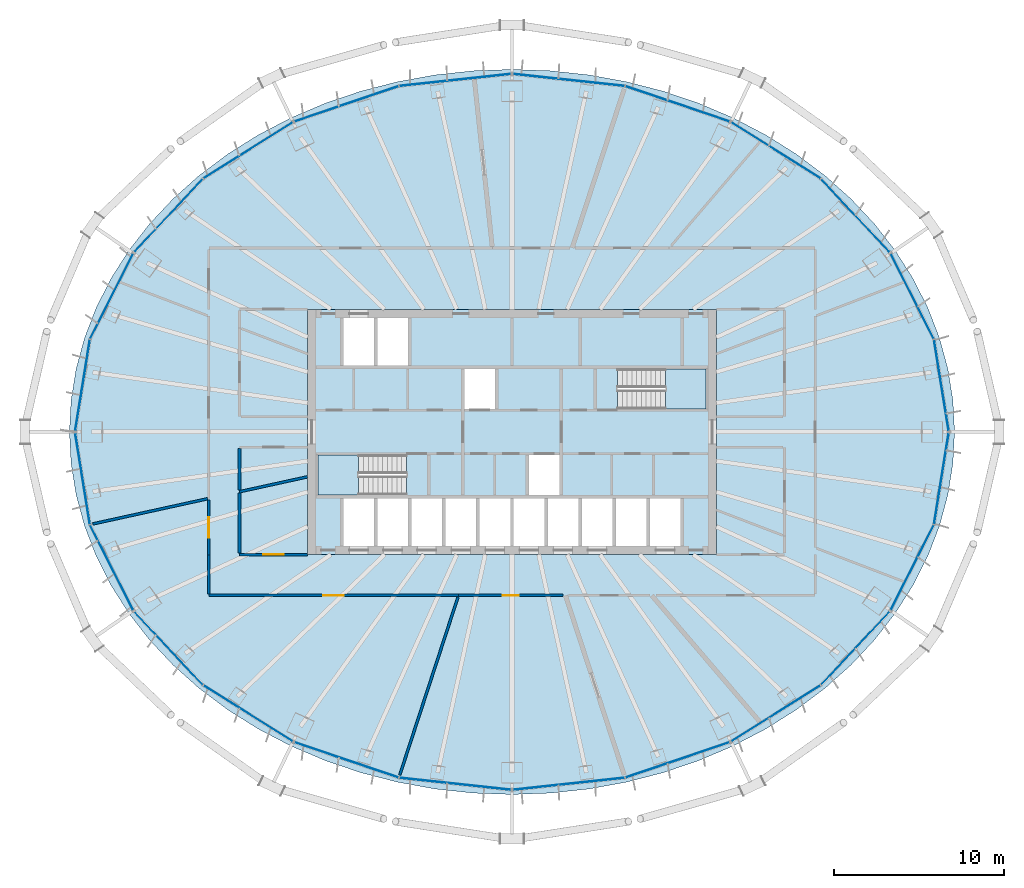
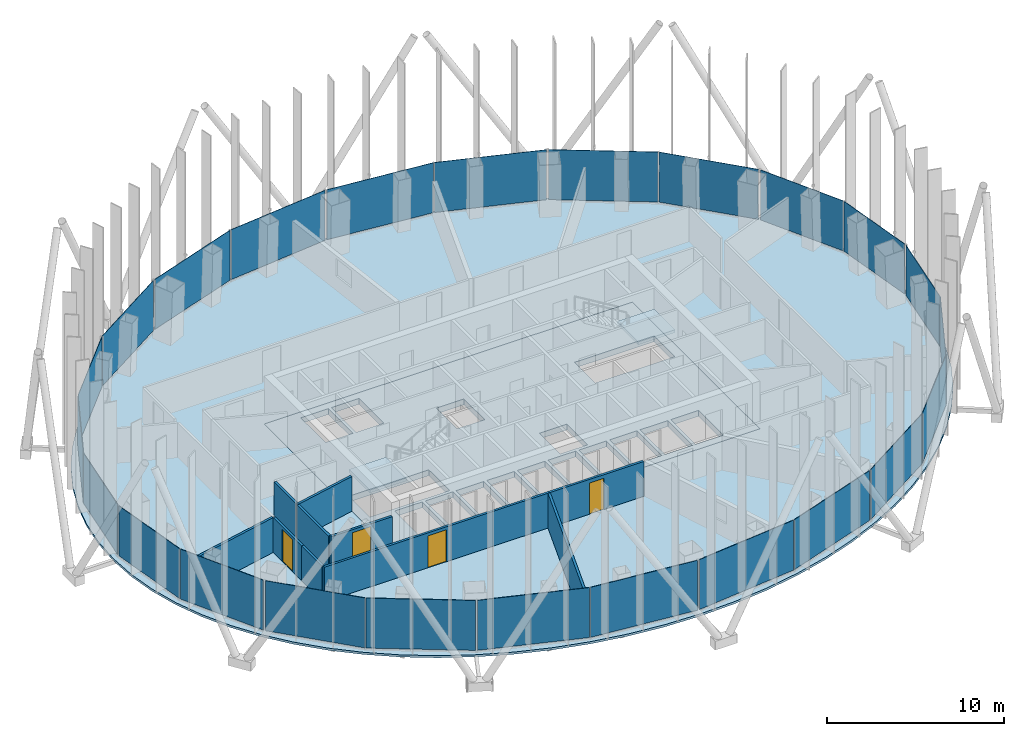
# One storey, part 8 of 20: 24 plates, 10 walls, 4 doors, 4 slabs, 4 openings, 14 elements without a shape of their own.
"""IFC4 building model written with IfcOpenShell, lengths in metres."""

from ifc_helpers import new_model, si_unit, direction, frame, frame_2d, origin, origin_2d, place, context, subcontext, project, spatial, polyline, rectangle, outline, extrude, material, layer, layer_set, type_object, element, fill, aggregate, save


model = new_model("IFC4")

# Units and contexts
model_context = context("Model", 3, precision=1e-05, world=origin(), true_north=direction((0.0, 1.0)))
body_context = subcontext(model_context, "Body", "Model", "MODEL_VIEW")
ifc_project = project(units=[si_unit("LENGTHUNIT", "METRE"), si_unit("AREAUNIT", "SQUARE_METRE"), si_unit("VOLUMEUNIT", "CUBIC_METRE"), si_unit("PLANEANGLEUNIT", "RADIAN"), si_unit("MASSUNIT", "GRAM", prefix="KILO")], contexts=[model_context])

# Site, building, storey
site_placement = place(None, origin())
site = spatial("IfcSite", under=ifc_project, at=site_placement, CompositionType="ELEMENT")
building_placement = place(site_placement, origin())
building = spatial("IfcBuilding", under=site, at=building_placement, Name="Siaravel Broadcast Tower", CompositionType="ELEMENT")
storey_placement = place(building_placement, frame((0.0, 0.0, 108.199951171875)))
storey = spatial("IfcBuildingStorey", under=building, at=storey_placement, Name="L25", CompositionType="ELEMENT", Elevation=108.199951171875)

# Curtain wall, plates
ifc_material_1 = material(Name="Aluminium 6063-T6", Category="aluminium")
ifc_layer_1 = layer(ifc_material_1, 0.199951171875)
ifc_layer_set_1 = layer_set([ifc_layer_1], Name="Aluminium 6063-T6")
curtain_wall_type = type_object("IfcCurtainWallType", Name="Unitised curtain wall, zone 2", PredefinedType="NOTDEFINED", material=ifc_layer_set_1)
curtain_wall_1_placement = place(storey_placement, origin())
curtain_wall_1 = element("IfcCurtainWall", 1, at=curtain_wall_1_placement, inside=storey, type_object=curtain_wall_type, Name="L25 Unitised curtain wall, zone 2 01", PredefinedType="NOTDEFINED")
ifc_material_2 = material(Name="Tinted laminated glass", Category="glass")
ifc_layer_2 = layer(ifc_material_2, 0.030029296875)
ifc_layer_set_2 = layer_set([ifc_layer_2], Name="Tinted laminated glass")
plate_type = type_object("IfcPlateType", Name="CW-Z2 glass panel", PredefinedType="CURTAIN_PANEL", material=ifc_layer_set_2)
plate_1_placement = place(storey_placement, frame((25.215087890625, 2.738037109375, 0.110107421875), z_axis=(0.0, 0.0, 1.0), x_axis=(-0.158685687, 0.987329151, 0.0)))
plate_1 = element("IfcPlate", 2, at=plate_1_placement, type_object=plate_type, Name="CW-Z2 glass panel", PredefinedType="CURTAIN_PANEL", context=body_context, shape_type="SweptSolid", body=[
    extrude(rectangle(XDim=5.416259765625, YDim=0.030029296875, at=origin_2d()), origin(), (0.0, 0.0, 1.0), 3.43994140625),
])
plate_2_placement = place(storey_placement, frame((23.50537109375, 7.96533203125, 0.110107421875), z_axis=(0.0, 0.0, 1.0), x_axis=(-0.451261231, 0.892391899, 0.0)))
plate_2 = element("IfcPlate", 3, at=plate_2_placement, type_object=plate_type, Name="CW-Z2 glass panel", PredefinedType="CURTAIN_PANEL", context=body_context, shape_type="SweptSolid", body=[
    extrude(rectangle(XDim=5.585693359375, YDim=0.030029296875, at=origin_2d()), origin(), (0.0, 0.0, 1.0), 3.43994140625),
])
aggregate(curtain_wall_1, [plate_1, plate_2])

curtain_wall_2_placement = place(storey_placement, origin())
curtain_wall_2 = element("IfcCurtainWall", 4, at=curtain_wall_2_placement, inside=storey, type_object=curtain_wall_type, Name="L25 Unitised curtain wall, zone 2 02", PredefinedType="NOTDEFINED")
plate_3_placement = place(storey_placement, frame((20.165283203125, 12.704345703125, 0.110107421875), z_axis=(0.0, 0.0, 1.0), x_axis=(-0.683655392, 0.729804977, 0.0)))
plate_3 = element("IfcPlate", 5, at=plate_3_placement, type_object=plate_type, Name="CW-Z2 glass panel", PredefinedType="CURTAIN_PANEL", context=body_context, shape_type="SweptSolid", body=[
    extrude(rectangle(XDim=5.867919921875, YDim=0.030029296875, at=origin_2d()), origin(), (0.0, 0.0, 1.0), 3.43994140625),
])
plate_4_placement = place(storey_placement, frame((15.494384765625, 16.530517578125, 0.110107421875), z_axis=(0.0, 0.0, 1.0), x_axis=(-0.846650708, 0.532149019, 0.0)))
plate_4 = element("IfcPlate", 6, at=plate_4_placement, type_object=plate_type, Name="CW-Z2 glass panel", PredefinedType="CURTAIN_PANEL", context=body_context, shape_type="SweptSolid", body=[
    extrude(rectangle(XDim=6.17822265625, YDim=0.030029296875, at=origin_2d()), origin(), (0.0, 0.0, 1.0), 3.43994140625),
])
aggregate(curtain_wall_2, [plate_3, plate_4])

curtain_wall_3_placement = place(storey_placement, origin())
curtain_wall_3 = element("IfcCurtainWall", 7, at=curtain_wall_3_placement, inside=storey, type_object=curtain_wall_type, Name="L25 Unitised curtain wall, zone 2 03", PredefinedType="NOTDEFINED")
plate_5_placement = place(storey_placement, frame((9.715576171875, 19.263427734375, 0.110107421875), z_axis=(0.0, 0.0, 1.0), x_axis=(-0.946977286, 0.321300513, 0.0)))
plate_5 = element("IfcPlate", 8, at=plate_5_placement, type_object=plate_type, Name="CW-Z2 glass panel", PredefinedType="CURTAIN_PANEL", context=body_context, shape_type="SweptSolid", body=[
    extrude(rectangle(XDim=6.43505859375, YDim=0.030029296875, at=origin_2d()), origin(), (0.0, 0.0, 1.0), 3.43994140625),
])
plate_6_placement = place(storey_placement, frame((3.335205078125, 20.663818359375, 0.110107421875), z_axis=(0.0, 0.0, 1.0), x_axis=(-0.994235594, 0.107217456, 0.0)))
plate_6 = element("IfcPlate", 9, at=plate_6_placement, type_object=plate_type, Name="CW-Z2 glass panel", PredefinedType="CURTAIN_PANEL", context=body_context, shape_type="SweptSolid", body=[
    extrude(rectangle(XDim=6.578857421875, YDim=0.030029296875, at=origin_2d()), origin(), (0.0, 0.0, 1.0), 3.43994140625),
])
aggregate(curtain_wall_3, [plate_5, plate_6])

curtain_wall_4_placement = place(storey_placement, origin())
curtain_wall_4 = element("IfcCurtainWall", 10, at=curtain_wall_4_placement, inside=storey, type_object=curtain_wall_type, Name="L25 Unitised curtain wall, zone 2 04", PredefinedType="NOTDEFINED")
plate_7_placement = place(storey_placement, frame((-3.335205078125, 20.663818359375, 0.110107421875), z_axis=(0.0, 0.0, 1.0), x_axis=(-0.994235594, -0.107217456, 0.0)))
plate_7 = element("IfcPlate", 11, at=plate_7_placement, type_object=plate_type, Name="CW-Z2 glass panel", PredefinedType="CURTAIN_PANEL", context=body_context, shape_type="SweptSolid", body=[
    extrude(rectangle(XDim=6.578857421875, YDim=0.030029296875, at=origin_2d()), origin(), (0.0, 0.0, 1.0), 3.43994140625),
])
plate_8_placement = place(storey_placement, frame((-9.715576171875, 19.263427734375, 0.110107421875), z_axis=(0.0, 0.0, 1.0), x_axis=(-0.946977286, -0.321300513, 0.0)))
plate_8 = element("IfcPlate", 12, at=plate_8_placement, type_object=plate_type, Name="CW-Z2 glass panel", PredefinedType="CURTAIN_PANEL", context=body_context, shape_type="SweptSolid", body=[
    extrude(rectangle(XDim=6.43505859375, YDim=0.030029296875, at=origin_2d()), origin(), (0.0, 0.0, 1.0), 3.43994140625),
])
aggregate(curtain_wall_4, [plate_7, plate_8])

curtain_wall_5_placement = place(storey_placement, origin())
curtain_wall_5 = element("IfcCurtainWall", 13, at=curtain_wall_5_placement, inside=storey, type_object=curtain_wall_type, Name="L25 Unitised curtain wall, zone 2 05", PredefinedType="NOTDEFINED")
plate_9_placement = place(storey_placement, frame((-15.494384765625, 16.530517578125, 0.110107421875), z_axis=(0.0, 0.0, 1.0), x_axis=(-0.846650708, -0.532149019, 0.0)))
plate_9 = element("IfcPlate", 14, at=plate_9_placement, type_object=plate_type, Name="CW-Z2 glass panel", PredefinedType="CURTAIN_PANEL", context=body_context, shape_type="SweptSolid", body=[
    extrude(rectangle(XDim=6.17822265625, YDim=0.030029296875, at=origin_2d()), origin(), (0.0, 0.0, 1.0), 3.43994140625),
])
plate_10_placement = place(storey_placement, frame((-20.165283203125, 12.704345703125, 0.110107421875), z_axis=(0.0, 0.0, 1.0), x_axis=(-0.683655392, -0.729804977, 0.0)))
plate_10 = element("IfcPlate", 15, at=plate_10_placement, type_object=plate_type, Name="CW-Z2 glass panel", PredefinedType="CURTAIN_PANEL", context=body_context, shape_type="SweptSolid", body=[
    extrude(rectangle(XDim=5.867919921875, YDim=0.030029296875, at=origin_2d()), origin(), (0.0, 0.0, 1.0), 3.43994140625),
])
aggregate(curtain_wall_5, [plate_9, plate_10])

curtain_wall_6_placement = place(storey_placement, origin())
curtain_wall_6 = element("IfcCurtainWall", 16, at=curtain_wall_6_placement, inside=storey, type_object=curtain_wall_type, Name="L25 Unitised curtain wall, zone 2 06", PredefinedType="NOTDEFINED")
plate_11_placement = place(storey_placement, frame((-23.50537109375, 7.96533203125, 0.110107421875), z_axis=(0.0, 0.0, 1.0), x_axis=(-0.451261231, -0.892391899, 0.0)))
plate_11 = element("IfcPlate", 17, at=plate_11_placement, type_object=plate_type, Name="CW-Z2 glass panel", PredefinedType="CURTAIN_PANEL", context=body_context, shape_type="SweptSolid", body=[
    extrude(rectangle(XDim=5.585693359375, YDim=0.030029296875, at=origin_2d()), origin(), (0.0, 0.0, 1.0), 3.43994140625),
])
plate_12_placement = place(storey_placement, frame((-25.215087890625, 2.738037109375, 0.110107421875), z_axis=(0.0, 0.0, 1.0), x_axis=(-0.158685687, -0.987329151, 0.0)))
plate_12 = element("IfcPlate", 18, at=plate_12_placement, type_object=plate_type, Name="CW-Z2 glass panel", PredefinedType="CURTAIN_PANEL", context=body_context, shape_type="SweptSolid", body=[
    extrude(rectangle(XDim=5.416259765625, YDim=0.030029296875, at=origin_2d()), origin(), (0.0, 0.0, 1.0), 3.43994140625),
])
aggregate(curtain_wall_6, [plate_11, plate_12])

curtain_wall_7_placement = place(storey_placement, origin())
curtain_wall_7 = element("IfcCurtainWall", 19, at=curtain_wall_7_placement, inside=storey, type_object=curtain_wall_type, Name="L25 Unitised curtain wall, zone 2 07", PredefinedType="NOTDEFINED")
plate_13_placement = place(storey_placement, frame((-25.215087890625, -2.738037109375, 0.110107421875), z_axis=(0.0, 0.0, 1.0), x_axis=(0.158685687, -0.987329151, 0.0)))
plate_13 = element("IfcPlate", 20, at=plate_13_placement, type_object=plate_type, Name="CW-Z2 glass panel", PredefinedType="CURTAIN_PANEL", context=body_context, shape_type="SweptSolid", body=[
    extrude(rectangle(XDim=5.416259765625, YDim=0.030029296875, at=origin_2d()), origin(), (0.0, 0.0, 1.0), 3.43994140625),
])
plate_14_placement = place(storey_placement, frame((-23.50537109375, -7.96533203125, 0.110107421875), z_axis=(0.0, 0.0, 1.0), x_axis=(0.451261231, -0.892391899, 0.0)))
plate_14 = element("IfcPlate", 21, at=plate_14_placement, type_object=plate_type, Name="CW-Z2 glass panel", PredefinedType="CURTAIN_PANEL", context=body_context, shape_type="SweptSolid", body=[
    extrude(rectangle(XDim=5.585693359375, YDim=0.030029296875, at=origin_2d()), origin(), (0.0, 0.0, 1.0), 3.43994140625),
])
aggregate(curtain_wall_7, [plate_13, plate_14])

curtain_wall_8_placement = place(storey_placement, origin())
curtain_wall_8 = element("IfcCurtainWall", 22, at=curtain_wall_8_placement, inside=storey, type_object=curtain_wall_type, Name="L25 Unitised curtain wall, zone 2 08", PredefinedType="NOTDEFINED")
plate_15_placement = place(storey_placement, frame((-20.165283203125, -12.704345703125, 0.110107421875), z_axis=(0.0, 0.0, 1.0), x_axis=(0.683655392, -0.729804977, 0.0)))
plate_15 = element("IfcPlate", 23, at=plate_15_placement, type_object=plate_type, Name="CW-Z2 glass panel", PredefinedType="CURTAIN_PANEL", context=body_context, shape_type="SweptSolid", body=[
    extrude(rectangle(XDim=5.867919921875, YDim=0.030029296875, at=origin_2d()), origin(), (0.0, 0.0, 1.0), 3.43994140625),
])
plate_16_placement = place(storey_placement, frame((-15.494384765625, -16.530517578125, 0.110107421875), z_axis=(0.0, 0.0, 1.0), x_axis=(0.846650708, -0.532149019, 0.0)))
plate_16 = element("IfcPlate", 24, at=plate_16_placement, type_object=plate_type, Name="CW-Z2 glass panel", PredefinedType="CURTAIN_PANEL", context=body_context, shape_type="SweptSolid", body=[
    extrude(rectangle(XDim=6.17822265625, YDim=0.030029296875, at=origin_2d()), origin(), (0.0, 0.0, 1.0), 3.43994140625),
])
aggregate(curtain_wall_8, [plate_15, plate_16])

curtain_wall_9_placement = place(storey_placement, origin())
curtain_wall_9 = element("IfcCurtainWall", 25, at=curtain_wall_9_placement, inside=storey, type_object=curtain_wall_type, Name="L25 Unitised curtain wall, zone 2 09", PredefinedType="NOTDEFINED")
plate_17_placement = place(storey_placement, frame((-9.715576171875, -19.263427734375, 0.110107421875), z_axis=(0.0, 0.0, 1.0), x_axis=(0.946977286, -0.321300513, 0.0)))
plate_17 = element("IfcPlate", 26, at=plate_17_placement, type_object=plate_type, Name="CW-Z2 glass panel", PredefinedType="CURTAIN_PANEL", context=body_context, shape_type="SweptSolid", body=[
    extrude(rectangle(XDim=6.43505859375, YDim=0.030029296875, at=origin_2d()), origin(), (0.0, 0.0, 1.0), 3.43994140625),
])
plate_18_placement = place(storey_placement, frame((-3.335205078125, -20.663818359375, 0.110107421875), z_axis=(0.0, 0.0, 1.0), x_axis=(0.994235594, -0.107217456, 0.0)))
plate_18 = element("IfcPlate", 27, at=plate_18_placement, type_object=plate_type, Name="CW-Z2 glass panel", PredefinedType="CURTAIN_PANEL", context=body_context, shape_type="SweptSolid", body=[
    extrude(rectangle(XDim=6.578857421875, YDim=0.030029296875, at=origin_2d()), origin(), (0.0, 0.0, 1.0), 3.43994140625),
])
aggregate(curtain_wall_9, [plate_17, plate_18])

curtain_wall_10_placement = place(storey_placement, origin())
curtain_wall_10 = element("IfcCurtainWall", 28, at=curtain_wall_10_placement, inside=storey, type_object=curtain_wall_type, Name="L25 Unitised curtain wall, zone 2 10", PredefinedType="NOTDEFINED")
plate_19_placement = place(storey_placement, frame((3.335205078125, -20.663818359375, 0.110107421875), z_axis=(0.0, 0.0, 1.0), x_axis=(0.994235594, 0.107217456, 0.0)))
plate_19 = element("IfcPlate", 29, at=plate_19_placement, type_object=plate_type, Name="CW-Z2 glass panel", PredefinedType="CURTAIN_PANEL", context=body_context, shape_type="SweptSolid", body=[
    extrude(rectangle(XDim=6.578857421875, YDim=0.030029296875, at=origin_2d()), origin(), (0.0, 0.0, 1.0), 3.43994140625),
])
plate_20_placement = place(storey_placement, frame((9.715576171875, -19.263427734375, 0.110107421875), z_axis=(0.0, 0.0, 1.0), x_axis=(0.946977286, 0.321300513, 0.0)))
plate_20 = element("IfcPlate", 30, at=plate_20_placement, type_object=plate_type, Name="CW-Z2 glass panel", PredefinedType="CURTAIN_PANEL", context=body_context, shape_type="SweptSolid", body=[
    extrude(rectangle(XDim=6.43505859375, YDim=0.030029296875, at=origin_2d()), origin(), (0.0, 0.0, 1.0), 3.43994140625),
])
aggregate(curtain_wall_10, [plate_19, plate_20])

curtain_wall_11_placement = place(storey_placement, origin())
curtain_wall_11 = element("IfcCurtainWall", 31, at=curtain_wall_11_placement, inside=storey, type_object=curtain_wall_type, Name="L25 Unitised curtain wall, zone 2 11", PredefinedType="NOTDEFINED")
plate_21_placement = place(storey_placement, frame((15.494384765625, -16.530517578125, 0.110107421875), z_axis=(0.0, 0.0, 1.0), x_axis=(0.846650708, 0.532149019, 0.0)))
plate_21 = element("IfcPlate", 32, at=plate_21_placement, type_object=plate_type, Name="CW-Z2 glass panel", PredefinedType="CURTAIN_PANEL", context=body_context, shape_type="SweptSolid", body=[
    extrude(rectangle(XDim=6.17822265625, YDim=0.030029296875, at=origin_2d()), origin(), (0.0, 0.0, 1.0), 3.43994140625),
])
plate_22_placement = place(storey_placement, frame((20.165283203125, -12.704345703125, 0.110107421875), z_axis=(0.0, 0.0, 1.0), x_axis=(0.683655392, 0.729804977, 0.0)))
plate_22 = element("IfcPlate", 33, at=plate_22_placement, type_object=plate_type, Name="CW-Z2 glass panel", PredefinedType="CURTAIN_PANEL", context=body_context, shape_type="SweptSolid", body=[
    extrude(rectangle(XDim=5.867919921875, YDim=0.030029296875, at=origin_2d()), origin(), (0.0, 0.0, 1.0), 3.43994140625),
])
aggregate(curtain_wall_11, [plate_21, plate_22])

curtain_wall_12_placement = place(storey_placement, origin())
curtain_wall_12 = element("IfcCurtainWall", 34, at=curtain_wall_12_placement, inside=storey, type_object=curtain_wall_type, Name="L25 Unitised curtain wall, zone 2 12", PredefinedType="NOTDEFINED")
plate_23_placement = place(storey_placement, frame((23.50537109375, -7.96533203125, 0.110107421875), z_axis=(0.0, 0.0, 1.0), x_axis=(0.451261231, 0.892391899, 0.0)))
plate_23 = element("IfcPlate", 35, at=plate_23_placement, type_object=plate_type, Name="CW-Z2 glass panel", PredefinedType="CURTAIN_PANEL", context=body_context, shape_type="SweptSolid", body=[
    extrude(rectangle(XDim=5.585693359375, YDim=0.030029296875, at=origin_2d()), origin(), (0.0, 0.0, 1.0), 3.43994140625),
])
plate_24_placement = place(storey_placement, frame((25.215087890625, -2.738037109375, 0.110107421875), z_axis=(0.0, 0.0, 1.0), x_axis=(0.158685687, 0.987329151, 0.0)))
plate_24 = element("IfcPlate", 36, at=plate_24_placement, type_object=plate_type, Name="CW-Z2 glass panel", PredefinedType="CURTAIN_PANEL", context=body_context, shape_type="SweptSolid", body=[
    extrude(rectangle(XDim=5.416259765625, YDim=0.030029296875, at=origin_2d()), origin(), (0.0, 0.0, 1.0), 3.43994140625),
])
aggregate(curtain_wall_12, [plate_23, plate_24])

# Slabs
ifc_material_3 = material(Name="Concrete C40/50", Category="concrete")
ifc_layer_3 = layer(ifc_material_3, 0.39990234375)
ifc_layer_set_3 = layer_set([ifc_layer_3], Name="Concrete C40/50")
slab_type_1 = type_object("IfcSlabType", Name="Core floor slab 400", PredefinedType="FLOOR", material=ifc_layer_set_3)
slab_1_placement = place(storey_placement, frame((0.0, 0.0, -0.39990234375)))
element("IfcSlab", 37, at=slab_1_placement, inside=storey, type_object=slab_type_1, Name="L25 core floor", PredefinedType="FLOOR", context=body_context, shape_type="SweptSolid", body=[
    extrude(outline(polyline([(-12.0, -7.199951171875), (-12.0, 7.199951171875), (12.0, 7.199951171875), (12.0, -7.199951171875), (-12.0, -7.199951171875)]), holes=[polyline([(11.3994140625, 1.3505859375), (11.3994140625, 3.699462890625), (6.200439453125, 3.699462890625), (6.200439453125, 1.3505859375), (11.3994140625, 1.3505859375)]), polyline([(9.89990234375, -3.89990234375), (8.10009765625, -3.89990234375), (8.10009765625, -6.699951171875), (9.89990234375, -6.699951171875), (9.89990234375, -3.89990234375)]), polyline([(7.89990234375, -3.89990234375), (6.10009765625, -3.89990234375), (6.10009765625, -6.699951171875), (7.89990234375, -6.699951171875), (7.89990234375, -3.89990234375)]), polyline([(5.89990234375, -3.89990234375), (4.10009765625, -3.89990234375), (4.10009765625, -6.699951171875), (5.89990234375, -6.699951171875), (5.89990234375, -3.89990234375)]), polyline([(3.89990234375, -3.89990234375), (2.10009765625, -3.89990234375), (2.10009765625, -6.699951171875), (3.89990234375, -6.699951171875), (3.89990234375, -3.89990234375)]), polyline([(2.800048828125, -1.35009765625), (1.0, -1.35009765625), (1.0, -3.699951171875), (2.800048828125, -3.699951171875), (2.800048828125, -1.35009765625)]), polyline([(1.89990234375, -3.89990234375), (0.10009765625, -3.89990234375), (0.10009765625, -6.699951171875), (1.89990234375, -6.699951171875), (1.89990234375, -3.89990234375)]), polyline([(-0.10009765625, -3.89990234375), (-1.89990234375, -3.89990234375), (-1.89990234375, -6.699951171875), (-0.10009765625, -6.699951171875), (-0.10009765625, -3.89990234375)]), polyline([(-1.0, 3.699951171875), (-2.800048828125, 3.699951171875), (-2.800048828125, 1.35009765625), (-1.0, 1.35009765625), (-1.0, 3.699951171875)]), polyline([(-2.10009765625, -3.89990234375), (-3.89990234375, -3.89990234375), (-3.89990234375, -6.699951171875), (-2.10009765625, -6.699951171875), (-2.10009765625, -3.89990234375)]), polyline([(-4.10009765625, -3.89990234375), (-5.89990234375, -3.89990234375), (-5.89990234375, -6.699951171875), (-4.10009765625, -6.699951171875), (-4.10009765625, -3.89990234375)]), polyline([(-6.10009765625, -3.89990234375), (-7.89990234375, -3.89990234375), (-7.89990234375, -6.699951171875), (-6.10009765625, -6.699951171875), (-6.10009765625, -3.89990234375)]), polyline([(-6.10009765625, 6.699951171875), (-7.89990234375, 6.699951171875), (-7.89990234375, 3.89990234375), (-6.10009765625, 3.89990234375), (-6.10009765625, 6.699951171875)]), polyline([(-11.3994140625, -1.3505859375), (-11.3994140625, -3.699462890625), (-6.200439453125, -3.699462890625), (-6.200439453125, -1.3505859375), (-11.3994140625, -1.3505859375)]), polyline([(-8.10009765625, -3.89990234375), (-9.89990234375, -3.89990234375), (-9.89990234375, -6.699951171875), (-8.10009765625, -6.699951171875), (-8.10009765625, -3.89990234375)]), polyline([(-8.10009765625, 6.699951171875), (-9.89990234375, 6.699951171875), (-9.89990234375, 3.89990234375), (-8.10009765625, 3.89990234375), (-8.10009765625, 6.699951171875)])]), origin(), (0.0, 0.0, 1.0), 0.39990234375),
])
ifc_layer_4 = layer(ifc_material_3, 0.14990234375)
ifc_layer_set_4 = layer_set([ifc_layer_4], Name="Concrete C40/50")
slab_type_2 = type_object("IfcSlabType", Name="SLB-FLOOR-150", PredefinedType="FLOOR", material=ifc_layer_set_4)
slab_2_placement = place(storey_placement, frame((0.0, 0.0, -0.14990234375)))
element("IfcSlab", 38, at=slab_2_placement, inside=storey, type_object=slab_type_2, Name="Floor slab", PredefinedType="FLOOR", context=body_context, shape_type="SweptSolid", body=[
    extrude(outline(polyline([(25.989501953125, 0.0), (25.890625, 1.85546875), (25.5947265625, 3.69677734375), (25.10400390625, 5.509765625), (24.422119140625, 7.281005859375), (23.554443359375, 8.996826171875), (22.507568359375, 10.64404296875), (21.289306640625, 12.21044921875), (19.9091796875, 13.683837890625), (18.37744140625, 15.052978515625), (16.705810546875, 16.307861328125), (14.906982421875, 17.4384765625), (12.994873046875, 18.436279296875), (10.983642578125, 19.293701171875), (8.888916015625, 20.00439453125), (6.7265625, 20.56298828125), (4.512939453125, 20.96484375), (2.26513671875, 21.207275390625), (0.0, 21.288330078125), (-2.26513671875, 21.207275390625), (-4.512939453125, 20.96484375), (-6.7265625, 20.56298828125), (-8.888916015625, 20.00439453125), (-10.983642578125, 19.293701171875), (-12.99462890625, 18.436279296875), (-14.906982421875, 17.4384765625), (-16.705810546875, 16.307861328125), (-18.37744140625, 15.052978515625), (-19.9091796875, 13.683837890625), (-21.289306640625, 12.21044921875), (-22.507568359375, 10.64404296875), (-23.554443359375, 8.996826171875), (-24.422119140625, 7.281005859375), (-25.10400390625, 5.509765625), (-25.5947265625, 3.69677734375), (-25.890625, 1.85546875), (-25.989501953125, 0.0), (-25.890625, -1.85546875), (-25.5947265625, -3.69677734375), (-25.10400390625, -5.509765625), (-24.422119140625, -7.281005859375), (-23.554443359375, -8.996826171875), (-22.507568359375, -10.644287109375), (-21.289306640625, -12.21044921875), (-19.9091796875, -13.683837890625), (-18.37744140625, -15.052978515625), (-16.705810546875, -16.307861328125), (-14.906982421875, -17.4384765625), (-12.994873046875, -18.436279296875), (-10.983642578125, -19.293701171875), (-8.888916015625, -20.00439453125), (-6.7265625, -20.56298828125), (-4.512939453125, -20.96484375), (-2.26513671875, -21.207275390625), (0.0, -21.288330078125), (2.26513671875, -21.207275390625), (4.512939453125, -20.96484375), (6.7265625, -20.56298828125), (8.888916015625, -20.00439453125), (10.983642578125, -19.293701171875), (12.994873046875, -18.436279296875), (14.906982421875, -17.4384765625), (16.705810546875, -16.307861328125), (18.37744140625, -15.052978515625), (19.9091796875, -13.683837890625), (21.289306640625, -12.21044921875), (22.507568359375, -10.644287109375), (23.554443359375, -8.996826171875), (24.422119140625, -7.281005859375), (25.10400390625, -5.509765625), (25.5947265625, -3.69677734375), (25.890625, -1.85546875), (25.989501953125, 0.0)]), holes=[polyline([(-12.0, 7.199951171875), (12.0, 7.199951171875), (12.0, -7.199951171875), (-12.0, -7.199951171875), (-12.0, 7.199951171875)])]), origin(), (0.0, 0.0, 1.0), 0.14990234375),
])

# Stair, slab
stair_type = type_object("IfcStairType", Name="Core exit stair", PredefinedType="HALF_TURN_STAIR", material=ifc_material_3)
stair_1_placement = place(storey_placement, origin())
stair_1 = element("IfcStair", 39, at=stair_1_placement, inside=storey, type_object=stair_type, Name="L25 Exit stair ST-1", PredefinedType="HALF_TURN_STAIR")
ifc_layer_5 = layer(ifc_material_3, 0.199951171875)
ifc_layer_set_5 = layer_set([ifc_layer_5], Name="Concrete C40/50")
slab_type_3 = type_object("IfcSlabType", Name="Stair landing", PredefinedType="LANDING", material=ifc_layer_set_5)
slab_3_placement = place(storey_placement, frame((0.0, 0.0, 1.650146484375)))
slab_3 = element("IfcSlab", 40, at=slab_3_placement, type_object=slab_type_3, Name="ST-1 landing 1", PredefinedType="LANDING", context=body_context, shape_type="SweptSolid", body=[
    extrude(outline(polyline([(-9.0, -1.35009765625), (-11.39990234375, -1.35009765625), (-11.39990234375, -3.699951171875), (-9.0, -3.699951171875), (-9.0, -1.35009765625)])), origin(), (0.0, 0.0, 1.0), 0.199951171875),
])
aggregate(stair_1, [slab_3])

stair_2_placement = place(storey_placement, origin())
stair_2 = element("IfcStair", 41, at=stair_2_placement, inside=storey, type_object=stair_type, Name="L25 Exit stair ST-2", PredefinedType="HALF_TURN_STAIR")
slab_4_placement = place(storey_placement, frame((0.0, 0.0, 1.650146484375)))
slab_4 = element("IfcSlab", 42, at=slab_4_placement, type_object=slab_type_3, Name="ST-2 landing 1", PredefinedType="LANDING", context=body_context, shape_type="SweptSolid", body=[
    extrude(outline(polyline([(9.0, 1.35009765625), (11.39990234375, 1.35009765625), (11.39990234375, 3.699951171875), (9.0, 3.699951171875), (9.0, 1.35009765625)])), origin(), (0.0, 0.0, 1.0), 0.199951171875),
])
aggregate(stair_2, [slab_4])

# Wall, opening, door
ifc_material_4 = material(Name="Gypsum board partition", Category="gypsum")
ifc_layer_6 = layer(ifc_material_4, 0.14990234375)
ifc_layer_set_6 = layer_set([ifc_layer_6], Name="Gypsum board partition")
wall_type_1 = type_object("IfcWallType", Name="Corridor wall 150", PredefinedType="PARTITIONING", material=ifc_layer_set_6)
wall_1_placement = place(storey_placement, frame((-17.800048828125, -9.60009765625, 0.0), z_axis=(0.0, 0.0, 1.0), x_axis=(1.0, 0.0, 0.0)))
wall_1 = element("IfcWall", 43, at=wall_1_placement, inside=storey, type_object=wall_type_1, Name="L25 partition 2", PredefinedType="PARTITIONING", context=body_context, shape_type="SweptSolid", body=[
    extrude(rectangle(XDim=14.65966796875, YDim=0.14990234375, at=frame_2d((7.329833984375, 0.0))), origin(), (0.0, 0.0, 1.0), 2.400146484375),
])
opening_1_placement = place(wall_1_placement, frame((6.729736328125, 0.0, 0.0)))
opening_1 = element("IfcOpeningElement", 44, at=opening_1_placement, cuts=wall_1, Name="Opening L25-017", PredefinedType="OPENING", context=body_context, shape_type="SweptSolid", body=[
    extrude(rectangle(XDim=1.199951171875, YDim=2.199951171875, at=frame_2d((0.60009765625, 1.10009765625))), frame((0.0, 0.0849609375, 0.0), z_axis=(0.0, -1.0, 0.0), x_axis=(1.0, 0.0, 0.0)), (0.0, 0.0, 1.0), 0.169921875),
])
ifc_material_5 = material(Name="Timber veneer", Category="wood")
door_type_1 = type_object("IfcDoorType", Name="Office double door 1200", OperationType="DOUBLE_DOOR_SINGLE_SWING", PredefinedType="DOOR", material=ifc_material_5)
door_1_placement = place(opening_1_placement, origin())
door_1 = element("IfcDoor", 45, at=door_1_placement, inside=storey, type_object=door_type_1, Name="L25 door to Open plan production office", OperationType="DOUBLE_DOOR_SINGLE_SWING", OverallHeight=2.199951171875, OverallWidth=1.199951171875, PredefinedType="DOOR", context=body_context, shape_type="SweptSolid", body=[
    extrude(rectangle(XDim=1.199951171875, YDim=2.199951171875, at=frame_2d((0.60009765625, 1.10009765625))), frame((0.0, 0.02490234375, 0.0), z_axis=(0.0, -1.0, 0.0), x_axis=(1.0, 0.0, 0.0)), (0.0, 0.0, 1.0), 0.050048828125),
])
fill(opening_1, door_1)

wall_2_placement = place(storey_placement, frame((-3.139404296875, -9.60009765625, 0.0), z_axis=(0.0, 0.0, 1.0), x_axis=(1.0, 0.0, 0.0)))
wall_2 = element("IfcWall", 46, at=wall_2_placement, inside=storey, type_object=wall_type_1, Name="L25 partition 14", PredefinedType="PARTITIONING", context=body_context, shape_type="SweptSolid", body=[
    extrude(rectangle(XDim=6.144775390625, YDim=0.14990234375, at=frame_2d((3.072265625, 0.0))), origin(), (0.0, 0.0, 1.0), 2.400146484375),
])
opening_2_placement = place(wall_2_placement, frame((2.597412109375, 0.0, 0.0)))
opening_2 = element("IfcOpeningElement", 47, at=opening_2_placement, cuts=wall_2, Name="Opening L25-019", PredefinedType="OPENING", context=body_context, shape_type="SweptSolid", body=[
    extrude(rectangle(XDim=0.949951171875, YDim=2.14990234375, at=frame_2d((0.47509765625, 1.074951171875))), frame((0.0, 0.0849609375, 0.0), z_axis=(0.0, -1.0, 0.0), x_axis=(1.0, 0.0, 0.0)), (0.0, 0.0, 1.0), 0.169921875),
])
door_type_2 = type_object("IfcDoorType", Name="Office door 950", OperationType="SINGLE_SWING_LEFT", PredefinedType="DOOR", material=ifc_material_5)
door_2_placement = place(opening_2_placement, origin())
door_2 = element("IfcDoor", 48, at=door_2_placement, inside=storey, type_object=door_type_2, Name="L25 door to Design studio", OperationType="SINGLE_SWING_LEFT", OverallHeight=2.14990234375, OverallWidth=0.949951171875, PredefinedType="DOOR", context=body_context, shape_type="SweptSolid", body=[
    extrude(rectangle(XDim=0.949951171875, YDim=2.14990234375, at=frame_2d((0.47509765625, 1.074951171875))), frame((0.0, 0.02490234375, 0.0), z_axis=(0.0, -1.0, 0.0), x_axis=(1.0, 0.0, 0.0)), (0.0, 0.0, 1.0), 0.050048828125),
])
fill(opening_2, door_2)

wall_3_placement = place(storey_placement, frame((-12.0, -7.199951171875, 0.0), z_axis=(0.0, 0.0, 1.0), x_axis=(-1.0, 0.0, 0.0)))
wall_3 = element("IfcWall", 49, at=wall_3_placement, inside=storey, type_object=wall_type_1, Name="L25 partition 30", PredefinedType="PARTITIONING", context=body_context, shape_type="SweptSolid", body=[
    extrude(rectangle(XDim=4.0, YDim=0.14990234375, at=frame_2d((2.0, 0.0))), origin(), (0.0, 0.0, 1.0), 2.400146484375),
])
opening_3_placement = place(wall_3_placement, frame((1.39990234375, 0.0, 0.0)))
opening_3 = element("IfcOpeningElement", 50, at=opening_3_placement, cuts=wall_3, Name="Opening L25-016", PredefinedType="OPENING", context=body_context, shape_type="SweptSolid", body=[
    extrude(rectangle(XDim=1.199951171875, YDim=2.199951171875, at=frame_2d((0.60009765625, 1.10009765625))), frame((0.0, 0.0849609375, 0.0), z_axis=(0.0, -1.0, 0.0), x_axis=(1.0, 0.0, 0.0)), (0.0, 0.0, 1.0), 0.169921875),
])
door_3_placement = place(opening_3_placement, origin())
door_3 = element("IfcDoor", 51, at=door_3_placement, inside=storey, type_object=door_type_1, Name="L25 door to Open plan production office", OperationType="DOUBLE_DOOR_SINGLE_SWING", OverallHeight=2.199951171875, OverallWidth=1.199951171875, PredefinedType="DOOR", context=body_context, shape_type="SweptSolid", body=[
    extrude(rectangle(XDim=1.199951171875, YDim=2.199951171875, at=frame_2d((0.60009765625, 1.10009765625))), frame((0.0, 0.02490234375, 0.0), z_axis=(0.0, -1.0, 0.0), x_axis=(1.0, 0.0, 0.0)), (0.0, 0.0, 1.0), 0.050048828125),
])
fill(opening_3, door_3)

# Wall
wall_4_placement = place(storey_placement, frame((-16.0, -7.123046875, 0.0), z_axis=(0.0, 0.0, 1.0), x_axis=(0.0, 1.0, 0.0)))
element("IfcWall", 52, at=wall_4_placement, inside=storey, type_object=wall_type_1, Name="L25 partition 36", PredefinedType="PARTITIONING", context=body_context, shape_type="SweptSolid", body=[
    extrude(rectangle(XDim=3.5361328125, YDim=0.14990234375, at=frame_2d((1.76806640625, 0.0))), origin(), (0.0, 0.0, 1.0), 2.400146484375),
])

# Wall, opening, door
wall_5_placement = place(storey_placement, frame((-17.800048828125, -4.001953125, 0.0), z_axis=(0.0, 0.0, 1.0), x_axis=(0.0, -1.0, 0.0)))
wall_5 = element("IfcWall", 53, at=wall_5_placement, inside=storey, type_object=wall_type_1, Name="L25 partition 39", PredefinedType="PARTITIONING", context=body_context, shape_type="SweptSolid", body=[
    extrude(rectangle(XDim=3.2099609375, YDim=0.14990234375, at=frame_2d((1.60498046875, 0.0))), origin(), (0.0, 0.0, 1.0), 2.400146484375),
])
opening_4_placement = place(wall_5_placement, frame((1.0048828125, 0.0, 0.0)))
opening_4 = element("IfcOpeningElement", 54, at=opening_4_placement, cuts=wall_5, Name="Opening L25-018", PredefinedType="OPENING", context=body_context, shape_type="SweptSolid", body=[
    extrude(rectangle(XDim=1.199951171875, YDim=2.199951171875, at=frame_2d((0.60009765625, 1.10009765625))), frame((0.0, 0.0849609375, 0.0), z_axis=(0.0, -1.0, 0.0), x_axis=(1.0, 0.0, 0.0)), (0.0, 0.0, 1.0), 0.169921875),
])
door_4_placement = place(opening_4_placement, origin())
door_4 = element("IfcDoor", 55, at=door_4_placement, inside=storey, type_object=door_type_1, Name="L25 door to Open plan production office", OperationType="DOUBLE_DOOR_SINGLE_SWING", OverallHeight=2.199951171875, OverallWidth=1.199951171875, PredefinedType="DOOR", context=body_context, shape_type="SweptSolid", body=[
    extrude(rectangle(XDim=1.199951171875, YDim=2.199951171875, at=frame_2d((0.60009765625, 1.10009765625))), frame((0.0, 0.02490234375, 0.0), z_axis=(0.0, -1.0, 0.0), x_axis=(1.0, 0.0, 0.0)), (0.0, 0.0, 1.0), 0.050048828125),
])
fill(opening_4, door_4)

# Walls
wall_6_placement = place(storey_placement, frame((-16.0, -3.41650390625, 0.0), z_axis=(0.0, 0.0, 1.0), x_axis=(0.0, 1.0, 0.0)))
element("IfcWall", 56, at=wall_6_placement, inside=storey, type_object=wall_type_1, Name="L25 partition 40", PredefinedType="PARTITIONING", context=body_context, shape_type="SweptSolid", body=[
    extrude(rectangle(XDim=2.439453125, YDim=0.14990234375, at=frame_2d((1.2197265625, 0.0))), origin(), (0.0, 0.0, 1.0), 2.400146484375),
])
wall_7_placement = place(storey_placement, frame((-17.800048828125, -7.212890625, 0.0), z_axis=(0.0, 0.0, 1.0), x_axis=(0.0, -1.0, 0.0)))
element("IfcWall", 57, at=wall_7_placement, inside=storey, type_object=wall_type_1, Name="L25 partition 41", PredefinedType="PARTITIONING", context=body_context, shape_type="SweptSolid", body=[
    extrude(rectangle(XDim=2.31005859375, YDim=0.14990234375, at=frame_2d((1.155029296875, 0.0))), origin(), (0.0, 0.0, 1.0), 2.400146484375),
])
ifc_layer_7 = layer(ifc_material_4, 0.14990234375)
ifc_layer_set_7 = layer_set([ifc_layer_7], Name="Gypsum board partition")
wall_type_2 = type_object("IfcWallType", Name="Room partition 150", PredefinedType="PARTITIONING", material=ifc_layer_set_7)
wall_8_placement = place(storey_placement, frame((-6.589599609375, -20.143798828125, 0.0), z_axis=(0.0, 0.0, 1.0), x_axis=(0.310923754, 0.950434858, 0.0)))
element("IfcWall", 58, at=wall_8_placement, inside=storey, type_object=wall_type_2, Name="L25 partition 5", PredefinedType="PARTITIONING", context=body_context, shape_type="SweptSolid", body=[
    extrude(rectangle(XDim=10.98828125, YDim=0.14990234375, at=frame_2d((5.494140625, 0.0))), origin(), (0.0, 0.0, 1.0), 2.400146484375),
])
wall_9_placement = place(storey_placement, frame((-24.614501953125, -5.40234375, 0.0), z_axis=(0.0, 0.0, 1.0), x_axis=(0.97675139, 0.214375192, 0.0)))
element("IfcWall", 59, at=wall_9_placement, inside=storey, type_object=wall_type_2, Name="L25 partition 13", PredefinedType="PARTITIONING", context=body_context, shape_type="SweptSolid", body=[
    extrude(rectangle(XDim=6.9013671875, YDim=0.14990234375, at=frame_2d((3.45068359375, 0.0))), origin(), (0.0, 0.0, 1.0), 2.400146484375),
])
wall_10_placement = place(storey_placement, frame((-16.0, -3.51171875, 0.0), z_axis=(0.0, 0.0, 1.0), x_axis=(0.976750433, 0.214379551, 0.0)))
element("IfcWall", 60, at=wall_10_placement, inside=storey, type_object=wall_type_2, Name="L25 partition 27", PredefinedType="PARTITIONING", context=body_context, shape_type="SweptSolid", body=[
    extrude(rectangle(XDim=4.09521484375, YDim=0.14990234375, at=frame_2d((2.047607421875, 0.0))), origin(), (0.0, 0.0, 1.0), 2.400146484375),
])

save(model, "model.ifc")
